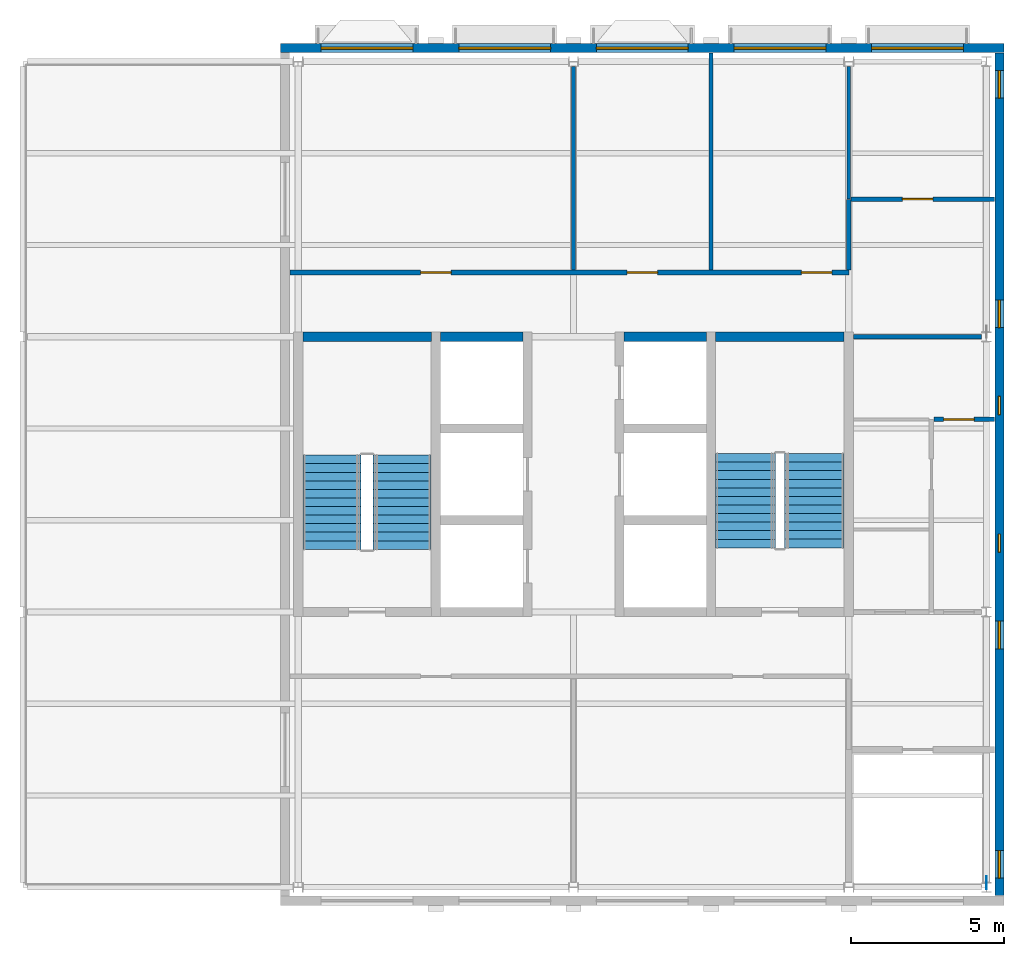
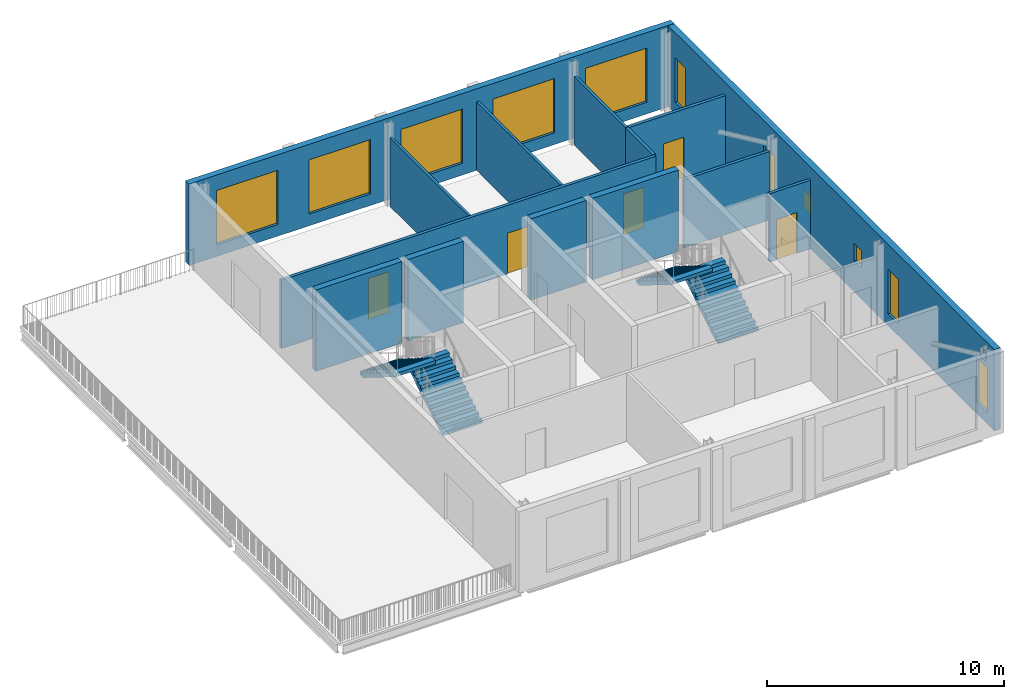
# One storey, part 3 of 7: 14 walls, 11 windows, 5 doors, 4 stair flights, 2 discrete accessories, 16 openings, 2 elements without a shape of their own.
"""IFC4 building model written with IfcOpenShell, lengths in metres."""

from ifc_helpers import new_model, si_unit, direction, frame, frame_2d, origin, origin_2d, place, context, subcontext, project, spatial, polyline, rectangle, outline, extrude, material, layer, layer_set, type_object, element, fill, aggregate, save


model = new_model("IFC4")

# Units and contexts
model_context = context("Model", 3, precision=1e-05, world=origin(), true_north=direction((0.0, 1.0)))
body_context = subcontext(model_context, "Body", "Model", "MODEL_VIEW")
ifc_project = project(units=[si_unit("LENGTHUNIT", "METRE"), si_unit("AREAUNIT", "SQUARE_METRE"), si_unit("VOLUMEUNIT", "CUBIC_METRE"), si_unit("PLANEANGLEUNIT", "RADIAN"), si_unit("MASSUNIT", "GRAM", prefix="KILO")], contexts=[model_context])

# Site, building, storey
site_placement = place(None, origin())
site = spatial("IfcSite", under=ifc_project, at=site_placement, CompositionType="ELEMENT")
building_placement = place(site_placement, origin())
building = spatial("IfcBuilding", under=site, at=building_placement, Name="Hortulan Conservatory and Botanical Research Centre", CompositionType="ELEMENT")
storey_placement = place(building_placement, frame((0.0, 0.0, 61.199951171875)))
storey = spatial("IfcBuildingStorey", under=building, at=storey_placement, Name="L14", CompositionType="ELEMENT", Elevation=61.199951171875)

# Walls
ifc_material_1 = material(Name="Concrete N40 (40 MPa, AS 3600)", Category="concrete")
ifc_layer_1 = layer(ifc_material_1, 0.300048828125)
ifc_layer_set_1 = layer_set([ifc_layer_1], Name="Core Wall 300 N40 FRL 240/120/120")
wall_type_1 = type_object("IfcWallType", Name="Core Wall 300 N40 FRL 240/120/120", PredefinedType="SHEAR", material=ifc_layer_set_1)
wall_1_placement = place(storey_placement, frame((9.14990234375, 18.0, 0.0), z_axis=(0.0, 0.0, 1.0), x_axis=(1.0, 0.0, 0.0)))
element("IfcWall", 1, at=wall_1_placement, inside=storey, type_object=wall_type_1, Name="Reinforced concrete shaft wall", PredefinedType="SHEAR", context=body_context, shape_type="SweptSolid", body=[
    extrude(rectangle(XDim=4.2001953125, YDim=0.300048828125, at=frame_2d((2.10009765625, 0.0))), origin(), (0.0, 0.0, 1.0), 4.199951171875),
])
for number, where, z_axis, x_axis, name in (
    (2, (13.64990234375, 18.0, 0.0), (0.0, 0.0, 1.0), (1.0, 0.0, 0.0), "Reinforced concrete shaft wall"),
    (3, (19.64990234375, 18.0, 0.0), (0.0, 0.0, 1.0), (1.0, 0.0, 0.0), "Reinforced concrete shaft wall"),
):
    element("IfcWall", number, at=place(storey_placement, frame(where, z_axis=z_axis, x_axis=x_axis)), inside=storey, type_object=wall_type_1, Name=name, PredefinedType="SHEAR", context=body_context, shape_type="SweptSolid", body=[
        extrude(rectangle(XDim=2.7001953125, YDim=0.300048828125, at=frame_2d((1.35009765625, 0.0))), origin(), (0.0, 0.0, 1.0), 4.199951171875),
    ])
wall_2_placement = place(storey_placement, frame((22.64990234375, 18.0, 0.0), z_axis=(0.0, 0.0, 1.0), x_axis=(1.0, 0.0, 0.0)))
element("IfcWall", 4, at=wall_2_placement, inside=storey, type_object=wall_type_1, Name="Reinforced concrete shaft wall", PredefinedType="SHEAR", context=body_context, shape_type="SweptSolid", body=[
    extrude(rectangle(XDim=4.2001953125, YDim=0.300048828125, at=frame_2d((2.10009765625, 0.0))), origin(), (0.0, 0.0, 1.0), 4.199951171875),
])
ifc_material_2 = material(Name="Plasterboard on steel studs", Category="steel")
ifc_layer_2 = layer(ifc_material_2, 0.14990234375)
ifc_layer_set_2 = layer_set([ifc_layer_2], Name="Corridor Partition 150")
wall_type_2 = type_object("IfcWallType", Name="Corridor Partition 150", PredefinedType="PARTITIONING", material=ifc_layer_set_2)
wall_3_placement = place(storey_placement, frame((27.0, 20.18505859375, 0.0), z_axis=(0.0, 0.0, 1.0), x_axis=(0.0, 1.0, 0.0)))
element("IfcWall", 5, at=wall_3_placement, inside=storey, type_object=wall_type_2, Name="Corridor partition", PredefinedType="PARTITIONING", context=body_context, shape_type="SweptSolid", body=[
    extrude(rectangle(XDim=2.304931640625, YDim=0.14990234375, at=frame_2d((1.15234375, 0.0))), origin(), (0.0, 0.0, 1.0), 3.537109375),
])
wall_4_placement = place(storey_placement, frame((27.159912109375, 18.0, 0.0), z_axis=(0.0, 0.0, 1.0), x_axis=(1.0, 0.0, 0.0)))
element("IfcWall", 6, at=wall_4_placement, inside=storey, type_object=wall_type_2, Name="Corridor partition", PredefinedType="PARTITIONING", context=body_context, shape_type="SweptSolid", body=[
    extrude(rectangle(XDim=4.175537109375, YDim=0.14990234375, at=frame_2d((2.087890625, 0.0))), origin(), (0.0, 0.0, 1.0), 3.537109375),
])

# Wall, openings, doors
wall_5_placement = place(storey_placement, frame((8.72412109375, 20.10009765625, 0.0), z_axis=(0.0, 0.0, 1.0), x_axis=(1.0, 0.0, 0.0)))
wall_5 = element("IfcWall", 7, at=wall_5_placement, inside=storey, type_object=wall_type_2, Name="Corridor partition", PredefinedType="PARTITIONING", context=body_context, shape_type="SweptSolid", body=[
    extrude(rectangle(XDim=18.27587890625, YDim=0.14990234375, at=frame_2d((9.137939453125, 0.0))), origin(), (0.0, 0.0, 1.0), 3.537109375),
])
opening_1_placement = place(wall_5_placement, frame((4.27587890625, 0.0, 0.0)))
opening_1 = element("IfcOpeningElement", 8, at=opening_1_placement, cuts=wall_5, Name="Opening DT1", PredefinedType="OPENING", context=body_context, shape_type="SweptSolid", body=[
    extrude(rectangle(XDim=1.0, YDim=2.10009765625, at=frame_2d((0.5, 1.050048828125))), frame((0.0, 0.0849609375, 0.0), z_axis=(0.0, -1.0, 0.0), x_axis=(1.0, 0.0, 0.0)), (0.0, 0.0, 1.0), 0.169921875),
])
opening_2_placement = place(wall_5_placement, frame((11.02587890625, 0.0, 0.0)))
opening_2 = element("IfcOpeningElement", 9, at=opening_2_placement, cuts=wall_5, Name="Opening DT1", PredefinedType="OPENING", context=body_context, shape_type="SweptSolid", body=[
    extrude(rectangle(XDim=1.0, YDim=2.10009765625, at=frame_2d((0.5, 1.050048828125))), frame((0.0, 0.0849609375, 0.0), z_axis=(0.0, -1.0, 0.0), x_axis=(1.0, 0.0, 0.0)), (0.0, 0.0, 1.0), 0.169921875),
])
opening_3_placement = place(wall_5_placement, frame((16.72607421875, 0.0, 0.0)))
opening_3 = element("IfcOpeningElement", 10, at=opening_3_placement, cuts=wall_5, Name="Opening DT1", PredefinedType="OPENING", context=body_context, shape_type="SweptSolid", body=[
    extrude(rectangle(XDim=1.0, YDim=2.10009765625, at=frame_2d((0.5, 1.050048828125))), frame((0.0, 0.0849609375, 0.0), z_axis=(0.0, -1.0, 0.0), x_axis=(1.0, 0.0, 0.0)), (0.0, 0.0, 1.0), 0.169921875),
])
ifc_material_3 = material(Name="Timber door leaf in timber frame", Category="wood")
door_type_1 = type_object("IfcDoorType", Name="Single Door 1000x2100", OperationType="NOTDEFINED", PredefinedType="DOOR", material=ifc_material_3)
door_1_placement = place(opening_1_placement, origin())
door_1 = element("IfcDoor", 11, at=door_1_placement, inside=storey, type_object=door_type_1, Name="Door DT1 Seminar Room", OperationType="SINGLE_SWING_LEFT", OverallHeight=2.10009765625, OverallWidth=1.0, PredefinedType="DOOR", context=body_context, shape_type="SweptSolid", body=[
    extrude(rectangle(XDim=1.0, YDim=2.10009765625, at=frame_2d((0.5, 1.050048828125))), frame((0.0, 0.02490234375, 0.0), z_axis=(0.0, -1.0, 0.0), x_axis=(1.0, 0.0, 0.0)), (0.0, 0.0, 1.0), 0.050048828125),
])
fill(opening_1, door_1)
door_2_placement = place(opening_2_placement, origin())
door_2 = element("IfcDoor", 12, at=door_2_placement, inside=storey, type_object=door_type_1, Name="Door DT1 Scientist's Office", OperationType="SINGLE_SWING_RIGHT", OverallHeight=2.10009765625, OverallWidth=1.0, PredefinedType="DOOR", context=body_context, shape_type="SweptSolid", body=[
    extrude(rectangle(XDim=1.0, YDim=2.10009765625, at=frame_2d((0.5, 1.050048828125))), frame((0.0, 0.02490234375, 0.0), z_axis=(0.0, -1.0, 0.0), x_axis=(1.0, 0.0, 0.0)), (0.0, 0.0, 1.0), 0.050048828125),
])
fill(opening_2, door_2)
door_3_placement = place(opening_3_placement, origin())
door_3 = element("IfcDoor", 13, at=door_3_placement, inside=storey, type_object=door_type_1, Name="Door DT1 Meeting Room", OperationType="SINGLE_SWING_LEFT", OverallHeight=2.10009765625, OverallWidth=1.0, PredefinedType="DOOR", context=body_context, shape_type="SweptSolid", body=[
    extrude(rectangle(XDim=1.0, YDim=2.10009765625, at=frame_2d((0.5, 1.050048828125))), frame((0.0, 0.02490234375, 0.0), z_axis=(0.0, -1.0, 0.0), x_axis=(1.0, 0.0, 0.0)), (0.0, 0.0, 1.0), 0.050048828125),
])
fill(opening_3, door_3)

# Wall, opening, door
wall_6_placement = place(storey_placement, frame((27.072509765625, 22.5, 0.0), z_axis=(0.0, 0.0, 1.0), x_axis=(1.0, 0.0, 0.0)))
wall_6 = element("IfcWall", 14, at=wall_6_placement, inside=storey, type_object=wall_type_2, Name="Corridor partition", PredefinedType="PARTITIONING", context=body_context, shape_type="SweptSolid", body=[
    extrude(rectangle(XDim=4.6923828125, YDim=0.14990234375, at=frame_2d((2.34619140625, 0.0))), origin(), (0.0, 0.0, 1.0), 3.537109375),
])
opening_4_placement = place(wall_6_placement, frame((1.677490234375, 0.0, 0.0)))
opening_4 = element("IfcOpeningElement", 15, at=opening_4_placement, cuts=wall_6, Name="Opening DT1", PredefinedType="OPENING", context=body_context, shape_type="SweptSolid", body=[
    extrude(rectangle(XDim=1.0, YDim=2.10009765625, at=frame_2d((0.5, 1.050048828125))), frame((0.0, 0.0849609375, 0.0), z_axis=(0.0, -1.0, 0.0), x_axis=(1.0, 0.0, 0.0)), (0.0, 0.0, 1.0), 0.169921875),
])
door_4_placement = place(opening_4_placement, origin())
door_4 = element("IfcDoor", 16, at=door_4_placement, inside=storey, type_object=door_type_1, Name="Door DT1 Quiet Room", OperationType="SINGLE_SWING_RIGHT", OverallHeight=2.10009765625, OverallWidth=1.0, PredefinedType="DOOR", context=body_context, shape_type="SweptSolid", body=[
    extrude(rectangle(XDim=1.0, YDim=2.10009765625, at=frame_2d((0.5, 1.050048828125))), frame((0.0, 0.02490234375, 0.0), z_axis=(0.0, -1.0, 0.0), x_axis=(1.0, 0.0, 0.0)), (0.0, 0.0, 1.0), 0.050048828125),
])
fill(opening_4, door_4)

ifc_material_4 = material(Name="Fire-rated plasterboard on steel studs", Category="steel")
ifc_layer_3 = layer(ifc_material_4, 0.14990234375)
ifc_layer_set_3 = layer_set([ifc_layer_3], Name="Lobby Partition 150")
wall_type_3 = type_object("IfcWallType", Name="Lobby Partition 150", PredefinedType="PARTITIONING", material=ifc_layer_set_3)
wall_7_placement = place(storey_placement, frame((29.784912109375, 15.300048828125, 0.0), z_axis=(0.0, 0.0, 1.0), x_axis=(1.0, 0.0, 0.0)))
wall_7 = element("IfcWall", 17, at=wall_7_placement, inside=storey, type_object=wall_type_3, Name="Lobby partition", PredefinedType="PARTITIONING", context=body_context, shape_type="SweptSolid", body=[
    extrude(rectangle(XDim=1.97998046875, YDim=0.14990234375, at=frame_2d((0.989990234375, 0.0))), origin(), (0.0, 0.0, 1.0), 3.537109375),
])
opening_5_placement = place(wall_7_placement, frame((0.31494140625, 0.0, 0.0)))
opening_5 = element("IfcOpeningElement", 18, at=opening_5_placement, cuts=wall_7, Name="Opening DT4", PredefinedType="OPENING", context=body_context, shape_type="SweptSolid", body=[
    extrude(rectangle(XDim=1.0, YDim=2.10009765625, at=frame_2d((0.5, 1.050048828125))), frame((0.0, 0.0849609375, 0.0), z_axis=(0.0, -1.0, 0.0), x_axis=(1.0, 0.0, 0.0)), (0.0, 0.0, 1.0), 0.169921875),
])
ifc_material_5 = material(Name="Steel door leaf, insulated", Category="steel")
door_type_2 = type_object("IfcDoorType", Name="Fire Door 1000x2100 FRL -/60/30", OperationType="NOTDEFINED", PredefinedType="DOOR", material=ifc_material_5)
door_5_placement = place(opening_5_placement, origin())
door_5 = element("IfcDoor", 19, at=door_5_placement, inside=storey, type_object=door_type_2, Name="Door DT4 Men's WC", OperationType="SINGLE_SWING_RIGHT", OverallHeight=2.10009765625, OverallWidth=1.0, PredefinedType="DOOR", context=body_context, shape_type="SweptSolid", body=[
    extrude(rectangle(XDim=1.0, YDim=2.10009765625, at=frame_2d((0.5, 1.050048828125))), frame((0.0, 0.02490234375, 0.0), z_axis=(0.0, -1.0, 0.0), x_axis=(1.0, 0.0, 0.0)), (0.0, 0.0, 1.0), 0.050048828125),
])
fill(opening_5, door_5)

# Walls
ifc_layer_4 = layer(ifc_material_2, 0.125)
ifc_layer_set_4 = layer_set([ifc_layer_4], Name="Partition 125")
wall_type_4 = type_object("IfcWallType", Name="Partition 125", PredefinedType="PARTITIONING", material=ifc_layer_set_4)
wall_8_placement = place(storey_placement, frame((18.0, 20.18505859375, 0.0), z_axis=(0.0, 0.0, 1.0), x_axis=(0.0, 1.0, 0.0)))
element("IfcWall", 20, at=wall_8_placement, inside=storey, type_object=wall_type_4, Name="Partition", PredefinedType="PARTITIONING", context=body_context, shape_type="SweptSolid", body=[
    extrude(rectangle(XDim=6.64453125, YDim=0.125, at=frame_2d((3.322265625, 0.0))), origin(), (0.0, 0.0, 1.0), 3.537109375),
])
wall_9_placement = place(storey_placement, frame((22.5, 20.18505859375, 0.0), z_axis=(0.0, 0.0, 1.0), x_axis=(0.0, 1.0, 0.0)))
element("IfcWall", 21, at=wall_9_placement, inside=storey, type_object=wall_type_4, Name="Partition", PredefinedType="PARTITIONING", context=body_context, shape_type="SweptSolid", body=[
    extrude(rectangle(XDim=7.0908203125, YDim=0.125, at=frame_2d((3.54541015625, 0.0))), origin(), (0.0, 0.0, 1.0), 3.537109375),
])
wall_10_placement = place(storey_placement, frame((27.0, 22.5, 0.0), z_axis=(0.0, 0.0, 1.0), x_axis=(0.0, 1.0, 0.0)))
element("IfcWall", 22, at=wall_10_placement, inside=storey, type_object=wall_type_4, Name="Partition", PredefinedType="PARTITIONING", context=body_context, shape_type="SweptSolid", body=[
    extrude(rectangle(XDim=4.32958984375, YDim=0.125, at=frame_2d((2.164794921875, 0.0))), origin(), (0.0, 0.0, 1.0), 3.537109375),
])

# Wall, openings, windows
ifc_material_6 = material(Name="Verdigris copper-green zinc cladding on lightweight framing", Category="metal")
ifc_layer_5 = layer(ifc_material_6, 0.300048828125)
ifc_layer_set_5 = layer_set([ifc_layer_5], Name="Verdigris Zinc Clad Wall 300")
wall_type_5 = type_object("IfcWallType", Name="Verdigris Zinc Clad Wall 300", PredefinedType="STANDARD", material=ifc_layer_set_5)
wall_11_placement = place(storey_placement, frame((8.4140625, 27.43603515625, 0.0), z_axis=(0.0, 0.0, 1.0), x_axis=(1.0, 0.0, 0.0)))
wall_11 = element("IfcWall", 23, at=wall_11_placement, inside=storey, type_object=wall_type_5, Name="E-EW-TW-L14-N3", PredefinedType="STANDARD", context=body_context, shape_type="SweptSolid", body=[
    extrude(rectangle(XDim=23.660888671875, YDim=0.300048828125, at=frame_2d((11.83056640625, 0.0))), origin(), (0.0, 0.0, 1.0), 4.199951171875),
])
opening_6_placement = place(wall_11_placement, frame((1.3359375, 0.0, 0.60009765625)))
opening_6 = element("IfcOpeningElement", 24, at=opening_6_placement, cuts=wall_11, Name="Opening W6", PredefinedType="OPENING", context=body_context, shape_type="SweptSolid", body=[
    extrude(rectangle(XDim=3.0, YDim=2.800048828125, at=frame_2d((1.5, 1.39990234375))), frame((0.0, 0.159912109375, 0.0), z_axis=(0.0, -1.0, 0.0), x_axis=(1.0, 0.0, 0.0)), (0.0, 0.0, 1.0), 0.320068359375),
])
opening_7_placement = place(wall_11_placement, frame((5.8359375, 0.0, 0.60009765625)))
opening_7 = element("IfcOpeningElement", 25, at=opening_7_placement, cuts=wall_11, Name="Opening W6", PredefinedType="OPENING", context=body_context, shape_type="SweptSolid", body=[
    extrude(rectangle(XDim=3.0, YDim=2.800048828125, at=frame_2d((1.5, 1.39990234375))), frame((0.0, 0.159912109375, 0.0), z_axis=(0.0, -1.0, 0.0), x_axis=(1.0, 0.0, 0.0)), (0.0, 0.0, 1.0), 0.320068359375),
])
opening_8_placement = place(wall_11_placement, frame((10.3359375, 0.0, 0.60009765625)))
opening_8 = element("IfcOpeningElement", 26, at=opening_8_placement, cuts=wall_11, Name="Opening W6", PredefinedType="OPENING", context=body_context, shape_type="SweptSolid", body=[
    extrude(rectangle(XDim=3.0, YDim=2.800048828125, at=frame_2d((1.5, 1.39990234375))), frame((0.0, 0.159912109375, 0.0), z_axis=(0.0, -1.0, 0.0), x_axis=(1.0, 0.0, 0.0)), (0.0, 0.0, 1.0), 0.320068359375),
])
opening_9_placement = place(wall_11_placement, frame((14.8359375, 0.0, 0.60009765625)))
opening_9 = element("IfcOpeningElement", 27, at=opening_9_placement, cuts=wall_11, Name="Opening W6", PredefinedType="OPENING", context=body_context, shape_type="SweptSolid", body=[
    extrude(rectangle(XDim=3.0, YDim=2.800048828125, at=frame_2d((1.5, 1.39990234375))), frame((0.0, 0.159912109375, 0.0), z_axis=(0.0, -1.0, 0.0), x_axis=(1.0, 0.0, 0.0)), (0.0, 0.0, 1.0), 0.320068359375),
])
opening_10_placement = place(wall_11_placement, frame((19.3359375, 0.0, 0.60009765625)))
opening_10 = element("IfcOpeningElement", 28, at=opening_10_placement, cuts=wall_11, Name="Opening W6", PredefinedType="OPENING", context=body_context, shape_type="SweptSolid", body=[
    extrude(rectangle(XDim=3.0, YDim=2.800048828125, at=frame_2d((1.5, 1.39990234375))), frame((0.0, 0.159912109375, 0.0), z_axis=(0.0, -1.0, 0.0), x_axis=(1.0, 0.0, 0.0)), (0.0, 0.0, 1.0), 0.320068359375),
])
ifc_material_7 = material(Name="Bronze-finished aluminium frame with low-e laminated double glazing", Category="aluminium")
window_type_1 = type_object("IfcWindowType", Name="Attic Window 3000x2800", PartitioningType="SINGLE_PANEL", PredefinedType="WINDOW", material=ifc_material_7)
window_1_placement = place(opening_6_placement, origin())
window_1 = element("IfcWindow", 29, at=window_1_placement, inside=storey, type_object=window_type_1, Name="Attic window", OverallHeight=2.800048828125, OverallWidth=3.0, PartitioningType="SINGLE_PANEL", PredefinedType="WINDOW", context=body_context, shape_type="SweptSolid", body=[
    extrude(rectangle(XDim=3.0, YDim=2.800048828125, at=frame_2d((1.5, 1.39990234375))), frame((0.0, 0.030029296875, 0.0), z_axis=(0.0, -1.0, 0.0), x_axis=(1.0, 0.0, 0.0)), (0.0, 0.0, 1.0), 0.06005859375),
])
fill(opening_6, window_1)
window_2_placement = place(opening_7_placement, origin())
window_2 = element("IfcWindow", 30, at=window_2_placement, inside=storey, type_object=window_type_1, Name="Attic window", OverallHeight=2.800048828125, OverallWidth=3.0, PartitioningType="SINGLE_PANEL", PredefinedType="WINDOW", context=body_context, shape_type="SweptSolid", body=[
    extrude(rectangle(XDim=3.0, YDim=2.800048828125, at=frame_2d((1.5, 1.39990234375))), frame((0.0, 0.030029296875, 0.0), z_axis=(0.0, -1.0, 0.0), x_axis=(1.0, 0.0, 0.0)), (0.0, 0.0, 1.0), 0.06005859375),
])
fill(opening_7, window_2)
window_3_placement = place(opening_8_placement, origin())
window_3 = element("IfcWindow", 31, at=window_3_placement, inside=storey, type_object=window_type_1, Name="Attic window", OverallHeight=2.800048828125, OverallWidth=3.0, PartitioningType="SINGLE_PANEL", PredefinedType="WINDOW", context=body_context, shape_type="SweptSolid", body=[
    extrude(rectangle(XDim=3.0, YDim=2.800048828125, at=frame_2d((1.5, 1.39990234375))), frame((0.0, 0.030029296875, 0.0), z_axis=(0.0, -1.0, 0.0), x_axis=(1.0, 0.0, 0.0)), (0.0, 0.0, 1.0), 0.06005859375),
])
fill(opening_8, window_3)
window_4_placement = place(opening_9_placement, origin())
window_4 = element("IfcWindow", 32, at=window_4_placement, inside=storey, type_object=window_type_1, Name="Attic window", OverallHeight=2.800048828125, OverallWidth=3.0, PartitioningType="SINGLE_PANEL", PredefinedType="WINDOW", context=body_context, shape_type="SweptSolid", body=[
    extrude(rectangle(XDim=3.0, YDim=2.800048828125, at=frame_2d((1.5, 1.39990234375))), frame((0.0, 0.030029296875, 0.0), z_axis=(0.0, -1.0, 0.0), x_axis=(1.0, 0.0, 0.0)), (0.0, 0.0, 1.0), 0.06005859375),
])
fill(opening_9, window_4)
window_5_placement = place(opening_10_placement, origin())
window_5 = element("IfcWindow", 33, at=window_5_placement, inside=storey, type_object=window_type_1, Name="Attic window", OverallHeight=2.800048828125, OverallWidth=3.0, PartitioningType="SINGLE_PANEL", PredefinedType="WINDOW", context=body_context, shape_type="SweptSolid", body=[
    extrude(rectangle(XDim=3.0, YDim=2.800048828125, at=frame_2d((1.5, 1.39990234375))), frame((0.0, 0.030029296875, 0.0), z_axis=(0.0, -1.0, 0.0), x_axis=(1.0, 0.0, 0.0)), (0.0, 0.0, 1.0), 0.06005859375),
])
fill(opening_10, window_5)

wall_12_placement = place(storey_placement, frame((31.925048828125, 27.27490234375, 0.0), z_axis=(0.0, 0.0, 1.0), x_axis=(0.0, -1.0, 0.0)))
wall_12 = element("IfcWall", 34, at=wall_12_placement, inside=storey, type_object=wall_type_5, Name="E-EW-TW-L14-E4", PredefinedType="STANDARD", context=body_context, shape_type="SweptSolid", body=[
    extrude(rectangle(XDim=27.5498046875, YDim=0.300048828125, at=frame_2d((13.77490234375, 0.0))), origin(), (0.0, 0.0, 1.0), 4.199951171875),
])
opening_11_placement = place(wall_12_placement, frame((26.074951171875, 0.0, 0.60009765625)))
opening_11 = element("IfcOpeningElement", 35, at=opening_11_placement, cuts=wall_12, Name="Opening W7", PredefinedType="OPENING", context=body_context, shape_type="SweptSolid", body=[
    extrude(rectangle(XDim=0.89990234375, YDim=2.300048828125, at=frame_2d((0.449951171875, 1.14990234375))), frame((0.0, 0.159912109375, 0.0), z_axis=(0.0, -1.0, 0.0), x_axis=(1.0, 0.0, 0.0)), (0.0, 0.0, 1.0), 0.320068359375),
])
opening_12_placement = place(wall_12_placement, frame((18.574951171875, 0.0, 0.60009765625)))
opening_12 = element("IfcOpeningElement", 36, at=opening_12_placement, cuts=wall_12, Name="Opening W7", PredefinedType="OPENING", context=body_context, shape_type="SweptSolid", body=[
    extrude(rectangle(XDim=0.89990234375, YDim=2.300048828125, at=frame_2d((0.449951171875, 1.14990234375))), frame((0.0, 0.159912109375, 0.0), z_axis=(0.0, -1.0, 0.0), x_axis=(1.0, 0.0, 0.0)), (0.0, 0.0, 1.0), 0.320068359375),
])
opening_13_placement = place(wall_12_placement, frame((15.72509765625, 0.0, 1.60009765625)))
opening_13 = element("IfcOpeningElement", 37, at=opening_13_placement, cuts=wall_12, Name="Opening W3", PredefinedType="OPENING", context=body_context, shape_type="SweptSolid", body=[
    extrude(rectangle(XDim=0.60009765625, YDim=0.89990234375, at=frame_2d((0.300048828125, 0.449951171875))), frame((0.0, 0.159912109375, 0.0), z_axis=(0.0, -1.0, 0.0), x_axis=(1.0, 0.0, 0.0)), (0.0, 0.0, 1.0), 0.320068359375),
])
opening_14_placement = place(wall_12_placement, frame((11.22509765625, 0.0, 1.60009765625)))
opening_14 = element("IfcOpeningElement", 38, at=opening_14_placement, cuts=wall_12, Name="Opening W3", PredefinedType="OPENING", context=body_context, shape_type="SweptSolid", body=[
    extrude(rectangle(XDim=0.60009765625, YDim=0.89990234375, at=frame_2d((0.300048828125, 0.449951171875))), frame((0.0, 0.159912109375, 0.0), z_axis=(0.0, -1.0, 0.0), x_axis=(1.0, 0.0, 0.0)), (0.0, 0.0, 1.0), 0.320068359375),
])
opening_15_placement = place(wall_12_placement, frame((8.074951171875, 0.0, 0.60009765625)))
opening_15 = element("IfcOpeningElement", 39, at=opening_15_placement, cuts=wall_12, Name="Opening W7", PredefinedType="OPENING", context=body_context, shape_type="SweptSolid", body=[
    extrude(rectangle(XDim=0.89990234375, YDim=2.300048828125, at=frame_2d((0.449951171875, 1.14990234375))), frame((0.0, 0.159912109375, 0.0), z_axis=(0.0, -1.0, 0.0), x_axis=(1.0, 0.0, 0.0)), (0.0, 0.0, 1.0), 0.320068359375),
])
opening_16_placement = place(wall_12_placement, frame((0.574951171875, 0.0, 0.60009765625)))
opening_16 = element("IfcOpeningElement", 40, at=opening_16_placement, cuts=wall_12, Name="Opening W7", PredefinedType="OPENING", context=body_context, shape_type="SweptSolid", body=[
    extrude(rectangle(XDim=0.89990234375, YDim=2.300048828125, at=frame_2d((0.449951171875, 1.14990234375))), frame((0.0, 0.159912109375, 0.0), z_axis=(0.0, -1.0, 0.0), x_axis=(1.0, 0.0, 0.0)), (0.0, 0.0, 1.0), 0.320068359375),
])
window_type_2 = type_object("IfcWindowType", Name="Attic Pier Window 900x2300", PartitioningType="SINGLE_PANEL", PredefinedType="WINDOW", material=ifc_material_7)
window_6_placement = place(opening_11_placement, origin())
window_6 = element("IfcWindow", 41, at=window_6_placement, inside=storey, type_object=window_type_2, Name="Attic Pier window", OverallHeight=2.300048828125, OverallWidth=0.89990234375, PartitioningType="SINGLE_PANEL", PredefinedType="WINDOW", context=body_context, shape_type="SweptSolid", body=[
    extrude(rectangle(XDim=0.89990234375, YDim=2.300048828125, at=frame_2d((0.449951171875, 1.14990234375))), frame((0.0, 0.030029296875, 0.0), z_axis=(0.0, -1.0, 0.0), x_axis=(1.0, 0.0, 0.0)), (0.0, 0.0, 1.0), 0.06005859375),
])
fill(opening_11, window_6)
window_7_placement = place(opening_12_placement, origin())
window_7 = element("IfcWindow", 42, at=window_7_placement, inside=storey, type_object=window_type_2, Name="Attic Pier window", OverallHeight=2.300048828125, OverallWidth=0.89990234375, PartitioningType="SINGLE_PANEL", PredefinedType="WINDOW", context=body_context, shape_type="SweptSolid", body=[
    extrude(rectangle(XDim=0.89990234375, YDim=2.300048828125, at=frame_2d((0.449951171875, 1.14990234375))), frame((0.0, 0.030029296875, 0.0), z_axis=(0.0, -1.0, 0.0), x_axis=(1.0, 0.0, 0.0)), (0.0, 0.0, 1.0), 0.06005859375),
])
fill(opening_12, window_7)
window_8_placement = place(opening_15_placement, origin())
window_8 = element("IfcWindow", 43, at=window_8_placement, inside=storey, type_object=window_type_2, Name="Attic Pier window", OverallHeight=2.300048828125, OverallWidth=0.89990234375, PartitioningType="SINGLE_PANEL", PredefinedType="WINDOW", context=body_context, shape_type="SweptSolid", body=[
    extrude(rectangle(XDim=0.89990234375, YDim=2.300048828125, at=frame_2d((0.449951171875, 1.14990234375))), frame((0.0, 0.030029296875, 0.0), z_axis=(0.0, -1.0, 0.0), x_axis=(1.0, 0.0, 0.0)), (0.0, 0.0, 1.0), 0.06005859375),
])
fill(opening_15, window_8)
window_9_placement = place(opening_16_placement, origin())
window_9 = element("IfcWindow", 44, at=window_9_placement, inside=storey, type_object=window_type_2, Name="Attic Pier window", OverallHeight=2.300048828125, OverallWidth=0.89990234375, PartitioningType="SINGLE_PANEL", PredefinedType="WINDOW", context=body_context, shape_type="SweptSolid", body=[
    extrude(rectangle(XDim=0.89990234375, YDim=2.300048828125, at=frame_2d((0.449951171875, 1.14990234375))), frame((0.0, 0.030029296875, 0.0), z_axis=(0.0, -1.0, 0.0), x_axis=(1.0, 0.0, 0.0)), (0.0, 0.0, 1.0), 0.06005859375),
])
fill(opening_16, window_9)
window_type_3 = type_object("IfcWindowType", Name="Slot Window 600x900", PartitioningType="SINGLE_PANEL", PredefinedType="WINDOW", material=ifc_material_7)
window_10_placement = place(opening_13_placement, origin())
window_10 = element("IfcWindow", 45, at=window_10_placement, inside=storey, type_object=window_type_3, Name="Slot window", OverallHeight=0.89990234375, OverallWidth=0.60009765625, PartitioningType="SINGLE_PANEL", PredefinedType="WINDOW", context=body_context, shape_type="SweptSolid", body=[
    extrude(rectangle(XDim=0.60009765625, YDim=0.89990234375, at=frame_2d((0.300048828125, 0.449951171875))), frame((0.0, 0.030029296875, 0.0), z_axis=(0.0, -1.0, 0.0), x_axis=(1.0, 0.0, 0.0)), (0.0, 0.0, 1.0), 0.06005859375),
])
fill(opening_13, window_10)
window_11_placement = place(opening_14_placement, origin())
window_11 = element("IfcWindow", 46, at=window_11_placement, inside=storey, type_object=window_type_3, Name="Slot window", OverallHeight=0.89990234375, OverallWidth=0.60009765625, PartitioningType="SINGLE_PANEL", PredefinedType="WINDOW", context=body_context, shape_type="SweptSolid", body=[
    extrude(rectangle(XDim=0.60009765625, YDim=0.89990234375, at=frame_2d((0.300048828125, 0.449951171875))), frame((0.0, 0.030029296875, 0.0), z_axis=(0.0, -1.0, 0.0), x_axis=(1.0, 0.0, 0.0)), (0.0, 0.0, 1.0), 0.06005859375),
])
fill(opening_14, window_11)

# Stair, stair flights
stair_type_1 = type_object("IfcStairType", Name="Concrete Escape Stair 1900", PredefinedType="HALF_TURN_STAIR", material=ifc_material_1)
stair_1_placement = place(storey_placement, origin())
stair_1 = element("IfcStair", 47, at=stair_1_placement, inside=storey, type_object=stair_type_1, Name="Stair T1 L14", PredefinedType="HALF_TURN_STAIR")
ifc_layer_6 = layer(ifc_material_1, 0.14990234375)
ifc_layer_set_6 = layer_set([ifc_layer_6], Name="Stair Flight 1900 wide, riser 175")
stair_flight_type_1 = type_object("IfcStairFlightType", Name="Stair Flight 1900 wide, riser 175", PredefinedType="STRAIGHT", material=ifc_layer_set_6)
stair_flight_1_placement = place(storey_placement, frame((12.39990234375, 11.050048828125, 0.0), z_axis=(0.0, 0.0, 1.0), x_axis=(0.0, 1.0, 0.0)))
stair_flight_1 = element("IfcStairFlight", 48, at=stair_flight_1_placement, type_object=stair_flight_type_1, Name="Stair T1 L14 flight 1", NumberOfRisers=12, NumberOfTreads=11, PredefinedType="STRAIGHT", RiserHeight=0.175, TreadLength=0.28, context=body_context, shape_type="SweptSolid", body=[
    extrude(outline(polyline([(0.0, 0.0), (0.0, 0.175048828125), (0.280029296875, 0.175048828125), (0.280029296875, 0.35009765625), (0.56005859375, 0.35009765625), (0.56005859375, 0.52490234375), (0.840087890625, 0.52490234375), (0.840087890625, 0.699951171875), (1.1201171875, 0.699951171875), (1.1201171875, 0.875), (1.39990234375, 0.875), (1.39990234375, 1.050048828125), (1.679931640625, 1.050048828125), (1.679931640625, 1.22509765625), (1.9599609375, 1.22509765625), (1.9599609375, 1.39990234375), (2.239990234375, 1.39990234375), (2.239990234375, 1.574951171875), (2.52001953125, 1.574951171875), (2.52001953125, 1.75), (2.800048828125, 1.75), (2.800048828125, 1.925048828125), (3.080078125, 1.925048828125), (3.080078125, 2.10009765625), (3.080078125, 1.748291015625), (0.28271484375, 0.0), (0.0, 0.0)])), frame((0.0, 0.949951171875, 0.0), z_axis=(0.0, -1.0, 0.0), x_axis=(1.0, 0.0, 0.0)), (0.0, 0.0, 1.0), 1.89990234375),
])
stair_flight_2_placement = place(storey_placement, frame((10.10009765625, 14.1298828125, 2.10009765625), z_axis=(0.0, 0.0, 1.0), x_axis=(0.0, -1.0, 0.0)))
stair_flight_2 = element("IfcStairFlight", 49, at=stair_flight_2_placement, type_object=stair_flight_type_1, Name="Stair T1 L14 flight 2", NumberOfRisers=12, NumberOfTreads=11, PredefinedType="STRAIGHT", RiserHeight=0.175, TreadLength=0.28, context=body_context, shape_type="SweptSolid", body=[
    extrude(outline(polyline([(0.0, 0.0), (0.0, 0.175048828125), (0.280029296875, 0.175048828125), (0.280029296875, 0.35009765625), (0.56005859375, 0.35009765625), (0.56005859375, 0.52490234375), (0.840087890625, 0.52490234375), (0.840087890625, 0.699951171875), (1.1201171875, 0.699951171875), (1.1201171875, 0.875), (1.39990234375, 0.875), (1.39990234375, 1.050048828125), (1.679931640625, 1.050048828125), (1.679931640625, 1.22509765625), (1.9599609375, 1.22509765625), (1.9599609375, 1.39990234375), (2.239990234375, 1.39990234375), (2.239990234375, 1.574951171875), (2.52001953125, 1.574951171875), (2.52001953125, 1.75), (2.800048828125, 1.75), (2.800048828125, 1.925048828125), (3.080078125, 1.925048828125), (3.080078125, 2.10009765625), (3.080078125, 1.748291015625), (0.28271484375, 0.0), (0.0, 0.0)])), frame((0.0, 0.949951171875, 0.0), z_axis=(0.0, -1.0, 0.0), x_axis=(1.0, 0.0, 0.0)), (0.0, 0.0, 1.0), 1.89990234375),
])
aggregate(stair_1, [stair_flight_1, stair_flight_2])

stair_type_2 = type_object("IfcStairType", Name="Concrete Escape Stair 1950", PredefinedType="HALF_TURN_STAIR", material=ifc_material_1)
stair_2_placement = place(storey_placement, origin())
stair_2 = element("IfcStair", 50, at=stair_2_placement, inside=storey, type_object=stair_type_2, Name="Stair T2 L14", PredefinedType="HALF_TURN_STAIR")
ifc_layer_7 = layer(ifc_material_1, 0.14990234375)
ifc_layer_set_7 = layer_set([ifc_layer_7], Name="Stair Flight 1950 wide, riser 175")
stair_flight_type_2 = type_object("IfcStairFlightType", Name="Stair Flight 1950 wide, riser 175", PredefinedType="STRAIGHT", material=ifc_layer_set_7)
stair_flight_3_placement = place(storey_placement, frame((25.875, 11.10009765625, 0.0), z_axis=(0.0, 0.0, 1.0), x_axis=(0.0, 1.0, 0.0)))
stair_flight_3 = element("IfcStairFlight", 51, at=stair_flight_3_placement, type_object=stair_flight_type_2, Name="Stair T2 L14 flight 1", NumberOfRisers=12, NumberOfTreads=11, PredefinedType="STRAIGHT", RiserHeight=0.175, TreadLength=0.28, context=body_context, shape_type="SweptSolid", body=[
    extrude(outline(polyline([(0.0, 0.0), (0.0, 0.175048828125), (0.280029296875, 0.175048828125), (0.280029296875, 0.35009765625), (0.56005859375, 0.35009765625), (0.56005859375, 0.52490234375), (0.840087890625, 0.52490234375), (0.840087890625, 0.699951171875), (1.1201171875, 0.699951171875), (1.1201171875, 0.875), (1.39990234375, 0.875), (1.39990234375, 1.050048828125), (1.679931640625, 1.050048828125), (1.679931640625, 1.22509765625), (1.9599609375, 1.22509765625), (1.9599609375, 1.39990234375), (2.239990234375, 1.39990234375), (2.239990234375, 1.574951171875), (2.52001953125, 1.574951171875), (2.52001953125, 1.75), (2.800048828125, 1.75), (2.800048828125, 1.925048828125), (3.080078125, 1.925048828125), (3.080078125, 2.10009765625), (3.080078125, 1.748291015625), (0.28271484375, 0.0), (0.0, 0.0)])), frame((0.0, 0.97509765625, 0.0), z_axis=(0.0, -1.0, 0.0), x_axis=(1.0, 0.0, 0.0)), (0.0, 0.0, 1.0), 1.949951171875),
])
stair_flight_4_placement = place(storey_placement, frame((23.625, 14.179931640625, 2.10009765625), z_axis=(0.0, 0.0, 1.0), x_axis=(0.0, -1.0, 0.0)))
stair_flight_4 = element("IfcStairFlight", 52, at=stair_flight_4_placement, type_object=stair_flight_type_2, Name="Stair T2 L14 flight 2", NumberOfRisers=12, NumberOfTreads=11, PredefinedType="STRAIGHT", RiserHeight=0.175, TreadLength=0.28, context=body_context, shape_type="SweptSolid", body=[
    extrude(outline(polyline([(0.0, 0.0), (0.0, 0.175048828125), (0.280029296875, 0.175048828125), (0.280029296875, 0.35009765625), (0.56005859375, 0.35009765625), (0.56005859375, 0.52490234375), (0.840087890625, 0.52490234375), (0.840087890625, 0.699951171875), (1.1201171875, 0.699951171875), (1.1201171875, 0.875), (1.39990234375, 0.875), (1.39990234375, 1.050048828125), (1.679931640625, 1.050048828125), (1.679931640625, 1.22509765625), (1.9599609375, 1.22509765625), (1.9599609375, 1.39990234375), (2.239990234375, 1.39990234375), (2.239990234375, 1.574951171875), (2.52001953125, 1.574951171875), (2.52001953125, 1.75), (2.800048828125, 1.75), (2.800048828125, 1.925048828125), (3.080078125, 1.925048828125), (3.080078125, 2.10009765625), (3.080078125, 1.748291015625), (0.28271484375, 0.0), (0.0, 0.0)])), frame((0.0, 0.97509765625, 0.0), z_axis=(0.0, -1.0, 0.0), x_axis=(1.0, 0.0, 0.0)), (0.0, 0.0, 1.0), 1.949951171875),
])
aggregate(stair_2, [stair_flight_3, stair_flight_4])

# Discrete accessories
ifc_material_8 = material(Name="Steel Grade 300 plate (AS/NZS 3678, 280 MPa minimum yield)", Category="steel")
discrete_accessory_type = type_object("IfcDiscreteAccessoryType", Name="End Plate 400x16", PredefinedType="BRACKET", material=ifc_material_8)
for number, where, z_axis, x_axis, name in (
    (53, (31.5, 0.1298828125, 3.67041015625), (0.0, 0.0, 1.0), (0.0, -1.0, 0.0), "Brace end plate"),
    (54, (31.5, 0.160400390625, 3.53173828125), (0.0, 0.0, 1.0), (0.0, -1.0, 0.0), "Brace end plate"),
):
    element("IfcDiscreteAccessory", number, at=place(storey_placement, frame(where, z_axis=z_axis, x_axis=x_axis)), inside=storey, type_object=discrete_accessory_type, Name=name, PredefinedType="BRACKET", context=body_context, shape_type="SweptSolid", body=[
        extrude(rectangle(XDim=0.39990234375, YDim=0.01611328125, at=origin_2d()), origin(), (0.0, 0.0, 1.0), 0.39990234375),
    ])

save(model, "model.ifc")
